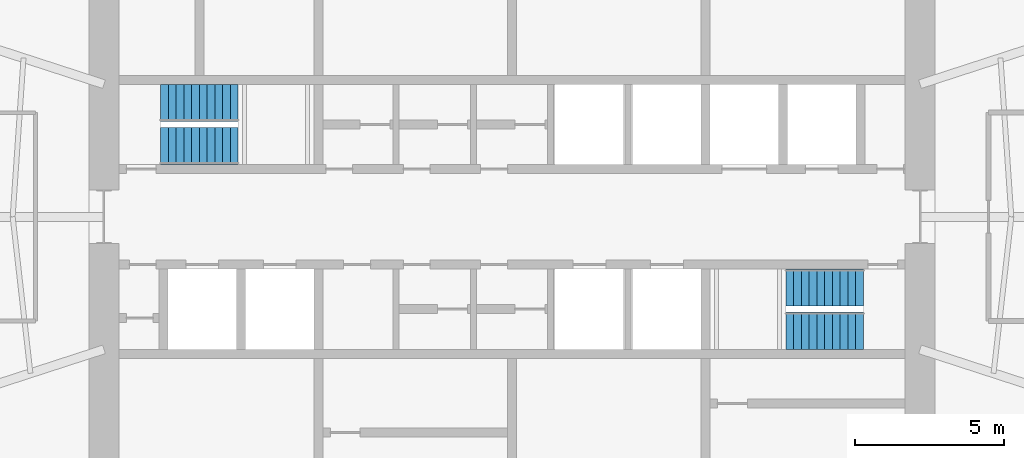
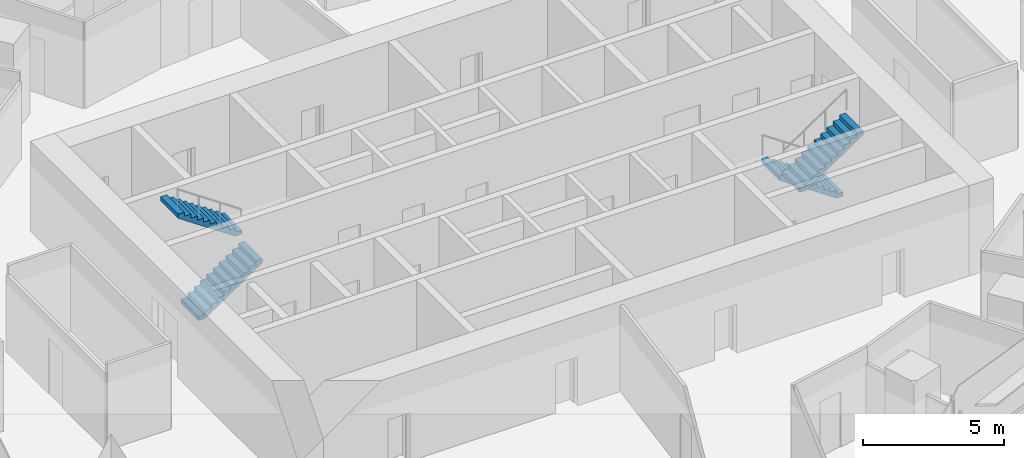
# One storey, part 13 of 15: 4 stair flights, 2 elements without a shape of their own.
"""IFC4 building model written with IfcOpenShell, lengths in metres."""

import ifcopenshell
import ifcopenshell.guid

model = None  # the IFC model being written
_history = None  # IfcOwnerHistory: only IFC2X3 demands one
_inside = {}  # id of a spatial element -> (the spatial element, [elements in it])
_under = {}  # id of a project, library or spatial element -> (it, [spatial elements below it])
_declared = {}  # id of a project -> (the project, [libraries it declares])
_typed = {}  # id of a type object -> (the type object, [elements of that type])
_made_of = {}  # id of a material, layer set ... -> (it, [elements and type objects made of it])


def new_model(schema):
    """Start an empty IFC model of exactly this schema.

    Asked for "IFC4X3", IfcOpenShell would pick the latest addendum, in which some entities
    have other attributes; the version numbers below select the first issue.
    IFC2X3 requires an IfcOwnerHistory on every rooted entity: one is made here for all.
    """
    global model, _history
    if schema == "IFC4X3":
        model = ifcopenshell.file(schema_version=(4, 3, 0, 0))
    else:
        model = ifcopenshell.file(schema=schema)
    _inside.clear()
    _under.clear()
    _declared.clear()
    _typed.clear()
    _made_of.clear()
    _history = None
    if model.schema == "IFC2X3":
        org = make("IfcOrganization", Name="unknown")
        user = make(
            "IfcPersonAndOrganization",
            ThePerson=make("IfcPerson", FamilyName="unknown"),
            TheOrganization=org,
        )
        app = make(
            "IfcApplication",
            ApplicationDeveloper=org,
            Version="unknown",
            ApplicationFullName="unknown",
            ApplicationIdentifier="unknown",
        )
        _history = make(
            "IfcOwnerHistory",
            OwningUser=user,
            OwningApplication=app,
            ChangeAction="ADDED",
            CreationDate=0,
        )
    return model


def make(cls, **values):
    """One entity of the class cls with the attributes given. An attribute that is None is left unset."""
    return model.create_entity(
        cls, **{name: value for name, value in values.items() if value is not None}
    )


def rooted(cls, **values):
    """An entity with a GlobalId (a new one), such as an element, a storey or a relation."""
    return make(cls, GlobalId=ifcopenshell.guid.new(), OwnerHistory=_history, **values)


def si_unit(unit_type, name, prefix=None):
    """IfcSIUnit, for example si_unit("LENGTHUNIT", "METRE", prefix="MILLI")."""
    return make("IfcSIUnit", UnitType=unit_type, Prefix=prefix, Name=name)


def assignment(units):
    """IfcUnitAssignment: the units of a project."""
    return None if units is None else make("IfcUnitAssignment", Units=units)


def point(xyz):
    """IfcCartesianPoint."""
    return None if xyz is None else make("IfcCartesianPoint", Coordinates=xyz)


def direction(xyz):
    """IfcDirection."""
    return None if xyz is None else make("IfcDirection", DirectionRatios=xyz)


def frame(location, z_axis=None, x_axis=None):
    """IfcAxis2Placement3D, a coordinate frame: its origin and axes. An axis left out is left unset."""
    return make(
        "IfcAxis2Placement3D",
        Location=point(location),
        Axis=direction(z_axis),
        RefDirection=direction(x_axis),
    )


def origin():
    """The frame at (0, 0, 0) with its axes left unset."""
    return frame((0.0, 0.0, 0.0))


def place(relative_to, where):
    """IfcLocalPlacement: puts the frame where relative to a parent placement (None: the world)."""
    return make(
        "IfcLocalPlacement", PlacementRelTo=relative_to, RelativePlacement=where
    )


def context(
    kind, dimensions, precision=None, world=None, true_north=None, identifier=None
):
    """IfcGeometricRepresentationContext, for example the 3D "Model" context."""
    return make(
        "IfcGeometricRepresentationContext",
        ContextIdentifier=identifier,
        ContextType=kind,
        CoordinateSpaceDimension=dimensions,
        Precision=precision,
        WorldCoordinateSystem=world,
        TrueNorth=true_north,
    )


def subcontext(parent, identifier, kind, view, scale=None):
    """IfcGeometricRepresentationSubContext, for example "Body" below "Model"."""
    return make(
        "IfcGeometricRepresentationSubContext",
        ContextIdentifier=identifier,
        ContextType=kind,
        ParentContext=parent,
        TargetScale=scale,
        TargetView=view,
    )


def project(units=None, contexts=None):
    """IfcProject with its units and contexts."""
    return rooted(
        "IfcProject",
        Name="project",
        RepresentationContexts=contexts,
        UnitsInContext=assignment(units),
    )


def spatial(cls, under=None, at=None, **own):
    """A site, building, storey or space (cls), placed at a placement, below another one or the project."""
    s = rooted(cls, ObjectPlacement=at, **own)
    if under is not None:
        _under.setdefault(under.id(), (under, []))[1].append(s)
    return s


def polyline(points):
    """IfcPolyline through the points."""
    return make("IfcPolyline", Points=[point(p) for p in points])


def outline(outer, holes=None, kind="AREA"):
    """IfcArbitraryClosedProfileDef: a profile drawn as a closed curve; with holes, ...WithVoids."""
    if holes is None:
        return make("IfcArbitraryClosedProfileDef", ProfileType=kind, OuterCurve=outer)
    return make(
        "IfcArbitraryProfileDefWithVoids",
        ProfileType=kind,
        OuterCurve=outer,
        InnerCurves=holes,
    )


def extrude(swept, where, along, depth):
    """IfcExtrudedAreaSolid: the profile swept, set in the frame where, extruded along a direction by depth."""
    return make(
        "IfcExtrudedAreaSolid",
        SweptArea=swept,
        Position=where,
        ExtrudedDirection=direction(along),
        Depth=depth,
    )


def shape(context_of_items, identifier, shape_type, items):
    """IfcShapeRepresentation: the items that make up one representation, for example the "Body"."""
    return make(
        "IfcShapeRepresentation",
        ContextOfItems=context_of_items,
        RepresentationIdentifier=identifier,
        RepresentationType=shape_type,
        Items=items,
    )


def material(Name=None, Category=None):
    """IfcMaterial."""
    return make("IfcMaterial", Name=Name, Category=Category)


def made_of(thing, what):
    """Note that an element or type object is made of a material, layer set ...; save() writes the relation."""
    if what is not None:
        _made_of.setdefault(what.id(), (what, []))[1].append(thing)
    return thing


def type_object(cls, material=None, **own):
    """A type object (cls), such as IfcWallType, which elements share."""
    return made_of(rooted(cls, **own), material)


def element(
    cls,
    number,
    at=None,
    inside=None,
    cuts=None,
    type_object=None,
    material=None,
    context=None,
    identifier="Body",
    shape_type=None,
    held_by="IfcProductDefinitionShape",
    body=None,
    shapes=None,
    **own,
):
    """One element of the class cls, such as IfcWall. Its Tag is "e" and its number.

    at: its placement. inside: the storey or other place that contains it. cuts: it is an
    opening in that element (IfcRelVoidsElement). A single representation is given by context,
    identifier, shape_type and body (its items); several are given by shapes. held_by: the class
    of the entity that holds the representations. save() writes the other relations.
    """
    e = rooted(cls, Tag="e%d" % number, ObjectPlacement=at, **own)
    if body is not None:
        shapes = [shape(context, identifier, shape_type, body)]
    if shapes is not None:
        e.Representation = make(held_by, Representations=shapes)
    if inside is not None:
        _inside.setdefault(inside.id(), (inside, []))[1].append(e)
    if cuts is not None:
        rooted(
            "IfcRelVoidsElement", RelatingBuildingElement=cuts, RelatedOpeningElement=e
        )
    if type_object is not None:
        _typed.setdefault(type_object.id(), (type_object, []))[1].append(e)
    return made_of(e, material)


def aggregate(whole, parts):
    """IfcRelAggregates: a whole, such as a stair, and the parts it consists of."""
    return rooted("IfcRelAggregates", RelatingObject=whole, RelatedObjects=parts)


def save(model, path):
    """Write the relations noted so far, then the file.

    IfcRelAggregates (storeys below a building ...), IfcRelContainedInSpatialStructure (elements
    in a storey), IfcRelDefinesByType, IfcRelAssociatesMaterial and IfcRelDeclares: one each for
    every whole, place, type object, material and project.
    """
    for whole, parts in _under.values():
        aggregate(whole, parts)
    for where, things in _inside.values():
        rooted(
            "IfcRelContainedInSpatialStructure",
            RelatedElements=things,
            RelatingStructure=where,
        )
    for kind, things in _typed.values():
        rooted("IfcRelDefinesByType", RelatedObjects=things, RelatingType=kind)
    for what, things in _made_of.values():
        rooted("IfcRelAssociatesMaterial", RelatedObjects=things, RelatingMaterial=what)
    for by, libraries in _declared.values():
        rooted("IfcRelDeclares", RelatingContext=by, RelatedDefinitions=libraries)
    model.write(path)


model = new_model("IFC4")

# Units and contexts
model_context = context("Model", 3, precision=1e-05, world=origin(), true_north=direction((0.0, 1.0)))
body_context = subcontext(model_context, "Body", "Model", "MODEL_VIEW")
ifc_project = project(units=[si_unit("LENGTHUNIT", "METRE"), si_unit("AREAUNIT", "SQUARE_METRE"), si_unit("VOLUMEUNIT", "CUBIC_METRE"), si_unit("PLANEANGLEUNIT", "RADIAN"), si_unit("MASSUNIT", "GRAM", prefix="KILO")], contexts=[model_context])

# Site, building, storey
site_placement = place(None, origin())
site = spatial("IfcSite", under=ifc_project, at=site_placement, CompositionType="ELEMENT")
building_placement = place(site_placement, origin())
building = spatial("IfcBuilding", under=site, at=building_placement, Name="Marramba Exchange Tower", CompositionType="ELEMENT")
storey_placement = place(building_placement, frame((0.0, 0.0, 191.60009765625)))
storey = spatial("IfcBuildingStorey", under=building, at=storey_placement, Name="L46", CompositionType="ELEMENT", Elevation=191.60009765625)

# Stair, stair flights
ifc_material = material(Name="Concrete N40 (40 MPa)", Category="concrete")
stair_type_1 = type_object("IfcStairType", Name="Exit stair ST1 3900 x 1250", PredefinedType="HALF_TURN_STAIR", material=ifc_material)
stair_1_placement = place(storey_placement, origin())
stair_1 = element("IfcStair", 1, at=stair_1_placement, inside=storey, type_object=stair_type_1, Name="Exit stair ST1 L46", PredefinedType="HALF_TURN_STAIR")
stair_flight_type_1 = type_object("IfcStairFlightType", Name="ST1 stair flight 1773 riser 1250 wide", PredefinedType="STRAIGHT", material=ifc_material)
stair_flight_1_placement = place(storey_placement, frame((-11.800048828125, 2.375, 0.0), z_axis=(0.0, 0.0, 1.0), x_axis=(1.0, 0.0, 0.0)))
stair_flight_1 = element("IfcStairFlight", 2, at=stair_flight_1_placement, type_object=stair_flight_type_1, Name="ST1 flight 1", NumberOfRisers=11, NumberOfTreads=10, PredefinedType="STRAIGHT", RiserHeight=0.177272727, TreadLength=0.26, context=body_context, shape_type="SweptSolid", body=[
    extrude(outline(polyline([(0.0, 0.0), (0.0, 0.17724609375), (0.260009765625, 0.17724609375), (0.260009765625, 0.3544921875), (0.52001953125, 0.3544921875), (0.52001953125, 0.53173828125), (0.780029296875, 0.53173828125), (0.780029296875, 0.708984375), (1.0400390625, 0.708984375), (1.0400390625, 0.886474609375), (1.300048828125, 0.886474609375), (1.300048828125, 1.063720703125), (1.56005859375, 1.063720703125), (1.56005859375, 1.240966796875), (1.820068359375, 1.240966796875), (1.820068359375, 1.418212890625), (2.080078125, 1.418212890625), (2.080078125, 1.595458984375), (2.340087890625, 1.595458984375), (2.340087890625, 1.772705078125), (2.60009765625, 1.772705078125), (2.60009765625, 1.949951171875), (2.60009765625, 1.59130859375), (0.26611328125, 0.0), (0.0, 0.0)])), frame((0.0, 0.625, 0.0), z_axis=(0.0, -1.0, 0.0), x_axis=(1.0, 0.0, 0.0)), (0.0, 0.0, 1.0), 1.25),
])
stair_flight_2_placement = place(storey_placement, frame((-9.199951171875, 3.824951171875, 1.949951171875), z_axis=(0.0, 0.0, 1.0), x_axis=(-1.0, 0.0, 0.0)))
stair_flight_2 = element("IfcStairFlight", 3, at=stair_flight_2_placement, type_object=stair_flight_type_1, Name="ST1 flight 2", NumberOfRisers=11, NumberOfTreads=10, PredefinedType="STRAIGHT", RiserHeight=0.177272727, TreadLength=0.26, context=body_context, shape_type="SweptSolid", body=[
    extrude(outline(polyline([(0.0, 0.0), (0.0, 0.17724609375), (0.260009765625, 0.17724609375), (0.260009765625, 0.3544921875), (0.52001953125, 0.3544921875), (0.52001953125, 0.53173828125), (0.780029296875, 0.53173828125), (0.780029296875, 0.708984375), (1.0400390625, 0.708984375), (1.0400390625, 0.886474609375), (1.300048828125, 0.886474609375), (1.300048828125, 1.063720703125), (1.56005859375, 1.063720703125), (1.56005859375, 1.240966796875), (1.820068359375, 1.240966796875), (1.820068359375, 1.418212890625), (2.080078125, 1.418212890625), (2.080078125, 1.595458984375), (2.340087890625, 1.595458984375), (2.340087890625, 1.772705078125), (2.60009765625, 1.772705078125), (2.60009765625, 1.949951171875), (2.60009765625, 1.59130859375), (0.26611328125, 0.0), (0.0, 0.0)])), frame((0.0, 0.625, 0.0), z_axis=(0.0, -1.0, 0.0), x_axis=(1.0, 0.0, 0.0)), (0.0, 0.0, 1.0), 1.25),
])
aggregate(stair_1, [stair_flight_1, stair_flight_2])

stair_type_2 = type_object("IfcStairType", Name="Exit stair ST2 3900 x 1250", PredefinedType="HALF_TURN_STAIR", material=ifc_material)
stair_2_placement = place(storey_placement, origin())
stair_2 = element("IfcStair", 4, at=stair_2_placement, inside=storey, type_object=stair_type_2, Name="Exit stair ST2 L46", PredefinedType="HALF_TURN_STAIR")
stair_flight_type_2 = type_object("IfcStairFlightType", Name="ST2 stair flight 1773 riser 1250 wide", PredefinedType="STRAIGHT", material=ifc_material)
stair_flight_3_placement = place(storey_placement, frame((11.800048828125, -2.375, 0.0), z_axis=(0.0, 0.0, 1.0), x_axis=(-1.0, 0.0, 0.0)))
stair_flight_3 = element("IfcStairFlight", 5, at=stair_flight_3_placement, type_object=stair_flight_type_2, Name="ST2 flight 1", NumberOfRisers=11, NumberOfTreads=10, PredefinedType="STRAIGHT", RiserHeight=0.177272727, TreadLength=0.26, context=body_context, shape_type="SweptSolid", body=[
    extrude(outline(polyline([(0.0, 0.0), (0.0, 0.17724609375), (0.260009765625, 0.17724609375), (0.260009765625, 0.3544921875), (0.52001953125, 0.3544921875), (0.52001953125, 0.53173828125), (0.780029296875, 0.53173828125), (0.780029296875, 0.708984375), (1.0400390625, 0.708984375), (1.0400390625, 0.886474609375), (1.300048828125, 0.886474609375), (1.300048828125, 1.063720703125), (1.56005859375, 1.063720703125), (1.56005859375, 1.240966796875), (1.820068359375, 1.240966796875), (1.820068359375, 1.418212890625), (2.080078125, 1.418212890625), (2.080078125, 1.595458984375), (2.340087890625, 1.595458984375), (2.340087890625, 1.772705078125), (2.60009765625, 1.772705078125), (2.60009765625, 1.949951171875), (2.60009765625, 1.59130859375), (0.26611328125, 0.0), (0.0, 0.0)])), frame((0.0, 0.625, 0.0), z_axis=(0.0, -1.0, 0.0), x_axis=(1.0, 0.0, 0.0)), (0.0, 0.0, 1.0), 1.25),
])
stair_flight_4_placement = place(storey_placement, frame((9.199951171875, -3.824951171875, 1.949951171875), z_axis=(0.0, 0.0, 1.0), x_axis=(1.0, 0.0, 0.0)))
stair_flight_4 = element("IfcStairFlight", 6, at=stair_flight_4_placement, type_object=stair_flight_type_2, Name="ST2 flight 2", NumberOfRisers=11, NumberOfTreads=10, PredefinedType="STRAIGHT", RiserHeight=0.177272727, TreadLength=0.26, context=body_context, shape_type="SweptSolid", body=[
    extrude(outline(polyline([(0.0, 0.0), (0.0, 0.17724609375), (0.260009765625, 0.17724609375), (0.260009765625, 0.3544921875), (0.52001953125, 0.3544921875), (0.52001953125, 0.53173828125), (0.780029296875, 0.53173828125), (0.780029296875, 0.708984375), (1.0400390625, 0.708984375), (1.0400390625, 0.886474609375), (1.300048828125, 0.886474609375), (1.300048828125, 1.063720703125), (1.56005859375, 1.063720703125), (1.56005859375, 1.240966796875), (1.820068359375, 1.240966796875), (1.820068359375, 1.418212890625), (2.080078125, 1.418212890625), (2.080078125, 1.595458984375), (2.340087890625, 1.595458984375), (2.340087890625, 1.772705078125), (2.60009765625, 1.772705078125), (2.60009765625, 1.949951171875), (2.60009765625, 1.59130859375), (0.26611328125, 0.0), (0.0, 0.0)])), frame((0.0, 0.625, 0.0), z_axis=(0.0, -1.0, 0.0), x_axis=(1.0, 0.0, 0.0)), (0.0, 0.0, 1.0), 1.25),
])
aggregate(stair_2, [stair_flight_3, stair_flight_4])

save(model, "model.ifc")
